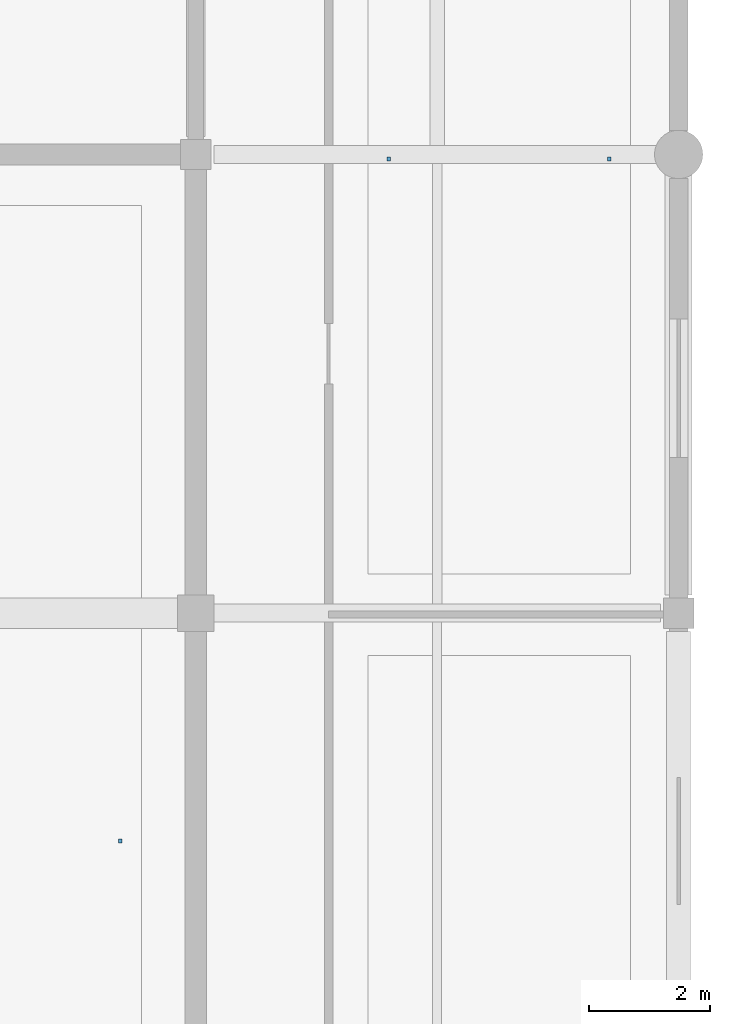
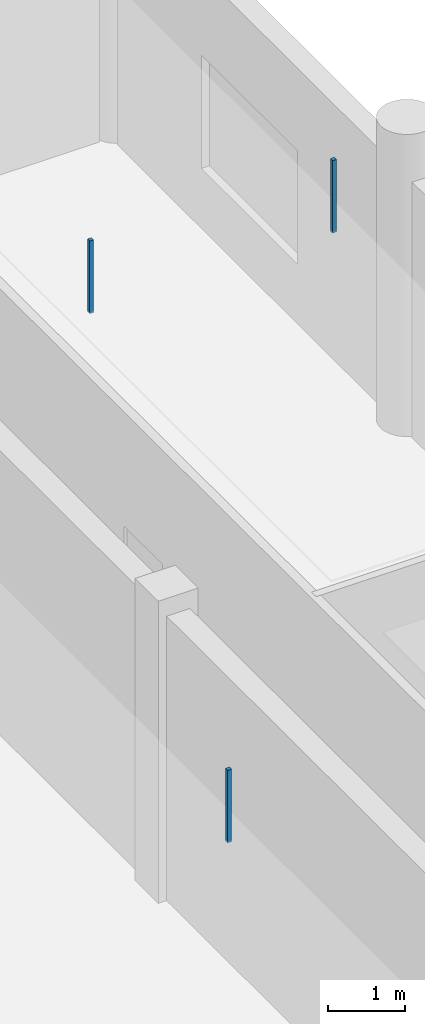
# One storey, part 111 of 141: 3 discrete accessories.
"""IFC4 building model written with IfcOpenShell, lengths in metres."""

from ifc_helpers import new_model, si_unit, direction, frame, origin, origin_2d, place, context, subcontext, project, spatial, rectangle, extrude, material, type_object, element, save


model = new_model("IFC4")

# Units and contexts
model_context = context("Model", 3, precision=1e-05, world=origin(), true_north=direction((0.0, 1.0)))
body_context = subcontext(model_context, "Body", "Model", "MODEL_VIEW")
ifc_project = project(units=[si_unit("LENGTHUNIT", "METRE"), si_unit("AREAUNIT", "SQUARE_METRE"), si_unit("VOLUMEUNIT", "CUBIC_METRE"), si_unit("PLANEANGLEUNIT", "RADIAN"), si_unit("MASSUNIT", "GRAM", prefix="KILO")], contexts=[model_context])

# Site, building, storey
site_placement = place(None, origin())
site = spatial("IfcSite", under=ifc_project, at=site_placement, CompositionType="ELEMENT")
building_placement = place(site_placement, origin())
building = spatial("IfcBuilding", under=site, at=building_placement, Name="Khelvaren Railside Concert Hall", CompositionType="ELEMENT")
storey_placement = place(building_placement, frame((0.0, 0.0, 10.199951171875)))
storey = spatial("IfcBuildingStorey", under=building, at=storey_placement, Name="L02", CompositionType="ELEMENT", Elevation=10.199951171875)

# Discrete accessories
ifc_material = material(Name="Galvanised steel acoustic ceiling hanger rod", Category="steel")
discrete_accessory_type = type_object("IfcDiscreteAccessoryType", Name="BRK62", PredefinedType="BRACKET", material=ifc_material)
for number, where, z_axis, x_axis, name in (
    (1, (43.199951171875, 106.324951171875, 3.43017578125), (0.0, 0.0, 1.0), (1.0, 0.0, 0.0), "Acoustic Ceiling Suspension Bracket 123-1"),
    (2, (46.85009765625, 106.324951171875, 3.43017578125), (0.0, 0.0, 1.0), (1.0, 0.0, 0.0), "Acoustic Ceiling Suspension Bracket 123-2"),
    (3, (38.75, 95.02490234375, 3.43017578125), (0.0, 0.0, 1.0), (1.0, 0.0, 0.0), "Acoustic Ceiling Suspension Bracket 126-2"),
):
    element("IfcDiscreteAccessory", number, at=place(storey_placement, frame(where, z_axis=z_axis, x_axis=x_axis)), inside=storey, type_object=discrete_accessory_type, Name=name, PredefinedType="BRACKET", context=body_context, shape_type="SweptSolid", body=[
        extrude(rectangle(XDim=0.06005859375, YDim=0.06005859375, at=origin_2d()), origin(), (0.0, 0.0, 1.0), 1.14990234375),
    ])

save(model, "model.ifc")
